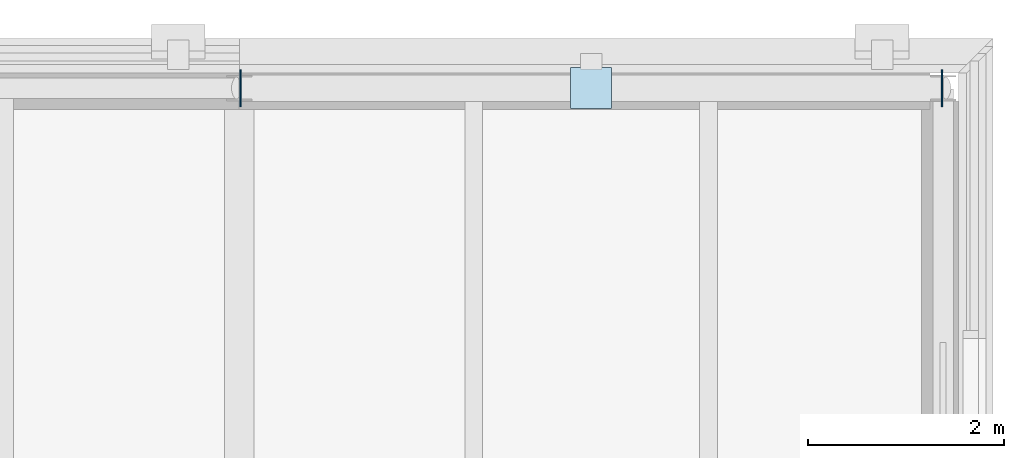
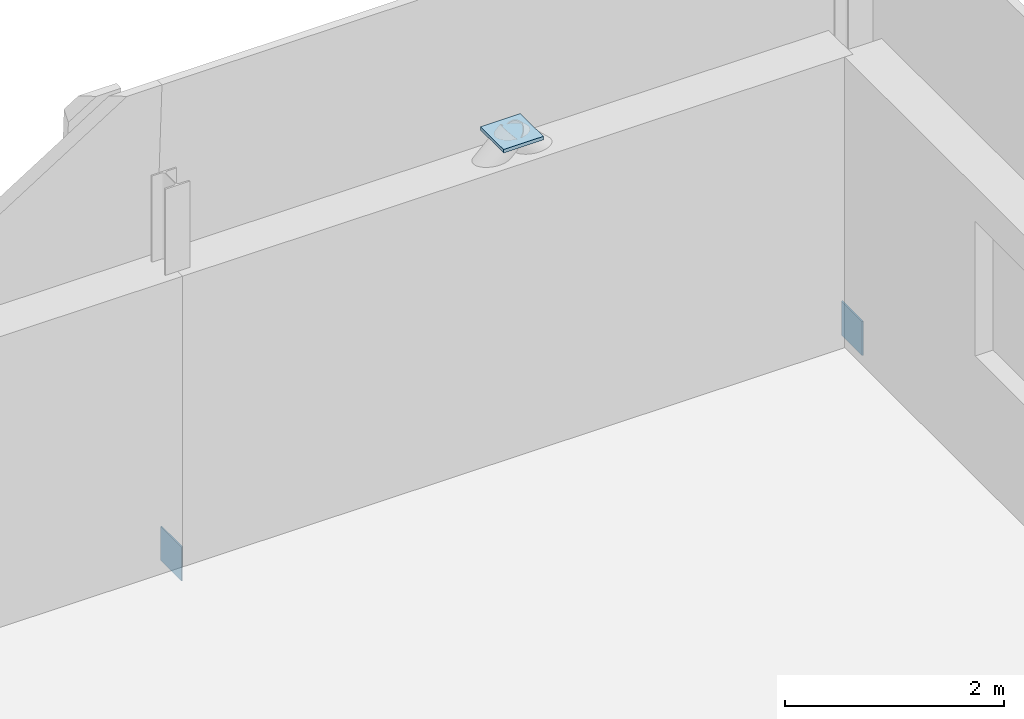
# One storey, part 64 of 115: 3 plates.
"""IFC4 building model written with IfcOpenShell, lengths in metres."""

from ifc_helpers import new_model, si_unit, direction, frame, origin, origin_2d, place, context, subcontext, project, spatial, rectangle, extrude, material, layer, layer_set, type_object, element, save


model = new_model("IFC4")

# Units and contexts
model_context = context("Model", 3, precision=1e-05, world=origin(), true_north=direction((0.0, 1.0)))
body_context = subcontext(model_context, "Body", "Model", "MODEL_VIEW")
ifc_project = project(units=[si_unit("LENGTHUNIT", "METRE"), si_unit("AREAUNIT", "SQUARE_METRE"), si_unit("VOLUMEUNIT", "CUBIC_METRE"), si_unit("PLANEANGLEUNIT", "RADIAN"), si_unit("MASSUNIT", "GRAM", prefix="KILO")], contexts=[model_context])

# Site, building, storey
site_placement = place(None, origin())
site = spatial("IfcSite", under=ifc_project, at=site_placement, CompositionType="ELEMENT")
building_placement = place(site_placement, origin())
building = spatial("IfcBuilding", under=site, at=building_placement, Name="Narikvali Park Central Library", CompositionType="ELEMENT")
storey_placement = place(building_placement, frame((0.0, 0.0, 10.199951171875)))
storey = spatial("IfcBuildingStorey", under=building, at=storey_placement, Name="L02", CompositionType="ELEMENT", Elevation=10.199951171875)

# Plates
ifc_material = material(Name="Steel S355", Category="steel")
ifc_layer_1 = layer(ifc_material, 0.013916015625, Name="Steel S355")
ifc_layer_set_1 = layer_set([ifc_layer_1], Name="Steel S355")
plate_type_1 = type_object("IfcPlateType", Name="Steel Hollow End Cap Plate 14", PredefinedType="SHEET", material=ifc_layer_set_1)
for number, where, z_axis, x_axis, name in (
    (1, (158.412109375, 115.199951171875, -0.177734375), (0.0, 0.0, 1.0), (-1.0, 0.0, 0.0), "Hollow Section Steel End Cap BR-ECAP-5-L02-A0"),
    (2, (165.587890625, 115.199951171875, -0.177734375), (0.0, 0.0, 1.0), (1.0, 0.0, 0.0), "Hollow Section Steel End Cap BR-ECAP-5-L02-B0"),
):
    element("IfcPlate", number, at=place(storey_placement, frame(where, z_axis=z_axis, x_axis=x_axis)), inside=storey, type_object=plate_type_1, Name=name, PredefinedType="SHEET", context=body_context, shape_type="SweptSolid", body=[
        extrude(rectangle(XDim=0.013916015625, YDim=0.3798828125, at=origin_2d()), origin(), (0.0, 0.0, 1.0), 0.3798828125),
    ])
ifc_layer_2 = layer(ifc_material, 0.0380859375, Name="Steel S355")
ifc_layer_set_2 = layer_set([ifc_layer_2], Name="Steel S355")
plate_type_2 = type_object("IfcPlateType", Name="Truss Splice Gusset Plate 38", PredefinedType="SHEET", material=ifc_layer_set_2)
plate_placement = place(storey_placement, frame((162.0, 115.199951171875, 3.4208984375), z_axis=(0.0, 0.0, 1.0), x_axis=(1.0, 0.0, 0.0)))
element("IfcPlate", 3, at=plate_placement, inside=storey, type_object=plate_type_2, Name="V3 L02 Chevron Apex Gusset Cap Plate", PredefinedType="SHEET", context=body_context, shape_type="SweptSolid", body=[
    extrude(rectangle(XDim=0.419921875, YDim=0.419921875, at=origin_2d()), origin(), (0.0, 0.0, 1.0), 0.0380859375),
])

save(model, "model.ifc")
